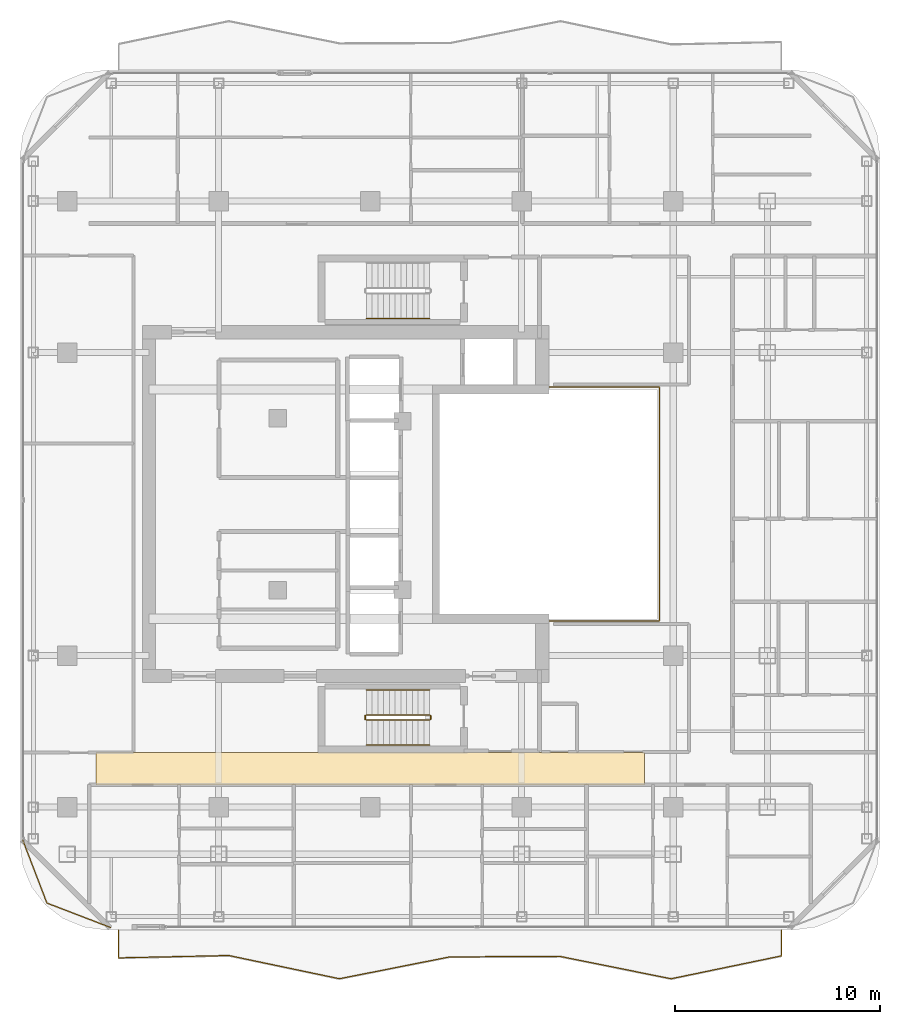
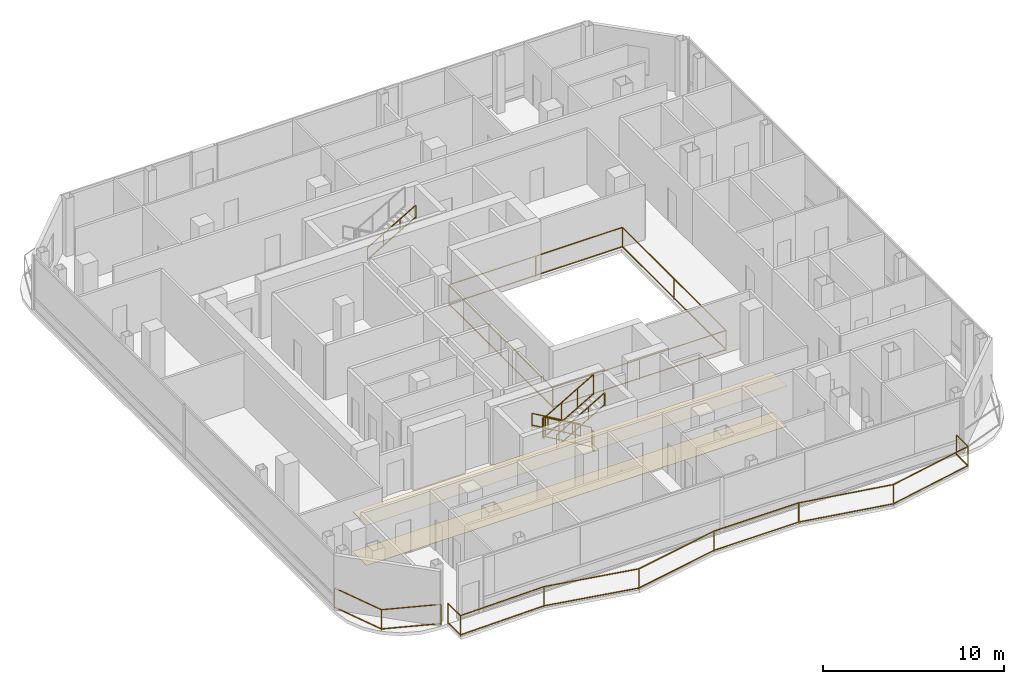
# One storey, part 22 of 24: 10 railings, 2 coverings.
"""IFC4 building model written with IfcOpenShell, lengths in metres."""

from ifc_helpers import new_model, si_unit, direction, frame, origin, origin_2d, place, context, subcontext, project, spatial, polyline, rectangle, outline, extrude, material, layer, layer_set, type_object, element, save


model = new_model("IFC4")

# Units and contexts
model_context = context("Model", 3, precision=1e-05, world=origin(), true_north=direction((0.0, 1.0)))
body_context = subcontext(model_context, "Body", "Model", "MODEL_VIEW")
ifc_project = project(units=[si_unit("LENGTHUNIT", "METRE"), si_unit("AREAUNIT", "SQUARE_METRE"), si_unit("VOLUMEUNIT", "CUBIC_METRE"), si_unit("PLANEANGLEUNIT", "RADIAN"), si_unit("MASSUNIT", "GRAM", prefix="KILO")], contexts=[model_context])

# Site, building, storey
site_placement = place(None, origin())
site = spatial("IfcSite", under=ifc_project, at=site_placement, CompositionType="ELEMENT")
building_placement = place(site_placement, origin())
building = spatial("IfcBuilding", under=site, at=building_placement, Name="Khorvyn Point Tower", CompositionType="ELEMENT")
storey_placement = place(building_placement, frame((0.0, 0.0, 266.39990234375)))
storey = spatial("IfcBuildingStorey", under=building, at=storey_placement, Name="L65", CompositionType="ELEMENT", Elevation=266.39990234375)

# Railings
ifc_material_1 = material(Name="Stainless steel 1.4401 and laminated glass", Category="steel")
railing_type_1 = type_object("IfcRailingType", Name="Crystal Atrium Smoke-Rated Perimeter Guardrail 1400", PredefinedType="GUARDRAIL", material=ifc_material_1)
railing_1_placement = place(storey_placement, frame((3.080078125, -5.719970703125, 0.0)))
element("IfcRailing", 1, at=railing_1_placement, inside=storey, type_object=railing_type_1, Name="L65 Crystal Atrium Perimeter Guardrail", PredefinedType="GUARDRAIL", context=body_context, shape_type="SweptSolid", body=[
    extrude(rectangle(XDim=0.048095703125, YDim=0.048095703125, at=origin_2d()), frame((0.0, 0.0, 1.3759765625), z_axis=(1.0, 0.0, 0.0), x_axis=(0.0, 1.0, 0.0)), (0.0, 0.0, 1.0), 11.0400390625),
    extrude(rectangle(XDim=0.048095703125, YDim=0.048095703125, at=origin_2d()), frame((0.0, 0.0, 0.080078125), z_axis=(1.0, 0.0, 0.0), x_axis=(0.0, 1.0, 0.0)), (0.0, 0.0, 1.0), 11.0400390625),
    extrude(rectangle(XDim=0.048095703125, YDim=0.048095703125, at=origin_2d()), frame((11.0400390625, 0.0, 1.3759765625), z_axis=(0.0, 1.0, 0.0), x_axis=(-1.0, 0.0, 0.0)), (0.0, 0.0, 1.0), 11.43994140625),
    extrude(rectangle(XDim=0.048095703125, YDim=0.048095703125, at=origin_2d()), frame((11.0400390625, 0.0, 0.080078125), z_axis=(0.0, 1.0, 0.0), x_axis=(-1.0, 0.0, 0.0)), (0.0, 0.0, 1.0), 11.43994140625),
    extrude(rectangle(XDim=0.048095703125, YDim=0.048095703125, at=origin_2d()), frame((11.0400390625, 11.43994140625, 1.3759765625), z_axis=(-1.0, 0.0, 0.0), x_axis=(0.0, -1.0, 0.0)), (0.0, 0.0, 1.0), 11.0400390625),
    extrude(rectangle(XDim=0.048095703125, YDim=0.048095703125, at=origin_2d()), frame((11.0400390625, 11.43994140625, 0.080078125), z_axis=(-1.0, 0.0, 0.0), x_axis=(0.0, -1.0, 0.0)), (0.0, 0.0, 1.0), 11.0400390625),
    extrude(rectangle(XDim=0.048095703125, YDim=0.048095703125, at=origin_2d()), frame((0.0, 11.43994140625, 1.3759765625), z_axis=(0.0, -1.0, 0.0), x_axis=(1.0, 0.0, 0.0)), (0.0, 0.0, 1.0), 11.409912109375),
    extrude(rectangle(XDim=0.048095703125, YDim=0.048095703125, at=origin_2d()), frame((0.0, 11.43994140625, 0.080078125), z_axis=(0.0, -1.0, 0.0), x_axis=(1.0, 0.0, 0.0)), (0.0, 0.0, 1.0), 11.409912109375),
    extrude(rectangle(XDim=0.0419921875, YDim=0.0419921875, at=origin_2d()), origin(), (0.0, 0.0, 1.0), 1.351806640625),
    extrude(rectangle(XDim=0.0419921875, YDim=0.0419921875, at=origin_2d()), frame((5.52001953125, 0.0, 0.0)), (0.0, 0.0, 1.0), 1.351806640625),
    extrude(rectangle(XDim=0.0419921875, YDim=0.0419921875, at=origin_2d()), frame((11.0400390625, 0.0, 0.0)), (0.0, 0.0, 1.0), 1.351806640625),
    extrude(rectangle(XDim=0.0419921875, YDim=0.0419921875, at=origin_2d()), frame((11.0400390625, 5.719970703125, 0.0)), (0.0, 0.0, 1.0), 1.351806640625),
    extrude(rectangle(XDim=0.0419921875, YDim=0.0419921875, at=origin_2d()), frame((11.0400390625, 11.43994140625, 0.0)), (0.0, 0.0, 1.0), 1.351806640625),
    extrude(rectangle(XDim=0.0419921875, YDim=0.0419921875, at=origin_2d()), frame((5.52001953125, 11.43994140625, 0.0)), (0.0, 0.0, 1.0), 1.351806640625),
    extrude(rectangle(XDim=0.0419921875, YDim=0.0419921875, at=origin_2d()), frame((0.0, 11.43994140625, 0.0)), (0.0, 0.0, 1.0), 1.351806640625),
    extrude(rectangle(XDim=0.0419921875, YDim=0.0419921875, at=origin_2d()), frame((0.0, 5.73486328125, 0.0)), (0.0, 0.0, 1.0), 1.351806640625),
    extrude(rectangle(XDim=0.0419921875, YDim=0.0419921875, at=origin_2d()), frame((0.0, 0.030029296875, 0.0)), (0.0, 0.0, 1.0), 1.351806640625),
])
ifc_material_2 = material(Name="Anodised aluminium 6063-T6 and laminated safety glass", Category="aluminium")
railing_type_2 = type_object("IfcRailingType", Name="Laminated Glass and Aluminium Balcony Guardrail 1400", PredefinedType="BALUSTRADE", material=ifc_material_2)
railing_2_placement = place(storey_placement, frame((-16.974365234375, -16.386474609375, 0.0)))
element("IfcRailing", 2, at=railing_2_placement, inside=storey, type_object=railing_type_2, Name="L65 Rounded Corner Edge Guardrail SW", PredefinedType="BALUSTRADE", context=body_context, shape_type="SweptSolid", body=[
    extrude(rectangle(XDim=0.048095703125, YDim=0.048095703125, at=origin_2d()), frame((0.0, 0.0, 1.3759765625), z_axis=(0.358367799998, -0.933580483903, 0.0), x_axis=(0.933580483903, 0.358367799998, 0.0)), (0.0, 0.0, 1.0), 3.319091796875),
    extrude(rectangle(XDim=0.048095703125, YDim=0.048095703125, at=origin_2d()), frame((0.0, 0.0, 0.080078125), z_axis=(0.358367799998, -0.933580483903, 0.0), x_axis=(0.933580483903, 0.358367799998, 0.0)), (0.0, 0.0, 1.0), 3.319091796875),
    extrude(rectangle(XDim=0.048095703125, YDim=0.048095703125, at=origin_2d()), frame((1.189453125, -3.0986328125, 1.3759765625), z_axis=(0.933595647299, -0.358328295484, 0.0), x_axis=(0.358328295484, 0.933595647299, 0.0)), (0.0, 0.0, 1.0), 3.31884765625),
    extrude(rectangle(XDim=0.048095703125, YDim=0.048095703125, at=origin_2d()), frame((1.189453125, -3.0986328125, 0.080078125), z_axis=(0.933595647299, -0.358328295484, 0.0), x_axis=(0.358328295484, 0.933595647299, 0.0)), (0.0, 0.0, 1.0), 3.31884765625),
    extrude(rectangle(XDim=0.0419921875, YDim=0.0419921875, at=origin_2d()), origin(), (0.0, 0.0, 1.0), 1.351806640625),
    extrude(rectangle(XDim=0.0419921875, YDim=0.0419921875, at=origin_2d()), frame((1.189453125, -3.0986328125, 0.0)), (0.0, 0.0, 1.0), 1.351806640625),
    extrude(rectangle(XDim=0.0419921875, YDim=0.0419921875, at=origin_2d()), frame((4.287841796875, -4.287841796875, 0.0)), (0.0, 0.0, 1.0), 1.351806640625),
])
railing_3_placement = place(storey_placement, frame((-12.300048828125, -20.800048828125, 0.0)))
element("IfcRailing", 3, at=railing_3_placement, inside=storey, type_object=railing_type_2, Name="L65 South Balcony Guardrail", PredefinedType="BALUSTRADE", context=body_context, shape_type="SweptSolid", body=[
    extrude(rectangle(XDim=0.048095703125, YDim=0.048095703125, at=origin_2d()), frame((0.0, 0.0, 1.3759765625), z_axis=(0.0, -1.0, 0.0), x_axis=(1.0, 0.0, 0.0)), (0.0, 0.0, 1.0), 1.362548828125),
    extrude(rectangle(XDim=0.048095703125, YDim=0.048095703125, at=origin_2d()), frame((0.0, 0.0, 0.080078125), z_axis=(0.0, -1.0, 0.0), x_axis=(1.0, 0.0, 0.0)), (0.0, 0.0, 1.0), 1.362548828125),
    extrude(rectangle(XDim=0.048095703125, YDim=0.048095703125, at=origin_2d()), frame((0.0, -1.362548828125, 1.3759765625), z_axis=(0.999770466456, 0.021424621416, 0.0), x_axis=(-0.021424621416, 0.999770466456, 0.0)), (0.0, 0.0, 1.0), 5.4013671875),
    extrude(rectangle(XDim=0.048095703125, YDim=0.048095703125, at=origin_2d()), frame((0.0, -1.362548828125, 0.080078125), z_axis=(0.999770466456, 0.021424621416, 0.0), x_axis=(-0.021424621416, 0.999770466456, 0.0)), (0.0, 0.0, 1.0), 5.4013671875),
    extrude(rectangle(XDim=0.048095703125, YDim=0.048095703125, at=origin_2d()), frame((5.400146484375, -1.246826171875, 1.3759765625), z_axis=(0.978633735831, -0.205611310715, 0.0), x_axis=(0.205611310715, 0.978633735831, 0.0)), (0.0, 0.0, 1.0), 5.517822265625),
    extrude(rectangle(XDim=0.048095703125, YDim=0.048095703125, at=origin_2d()), frame((5.400146484375, -1.246826171875, 0.080078125), z_axis=(0.978633735831, -0.205611310715, 0.0), x_axis=(0.205611310715, 0.978633735831, 0.0)), (0.0, 0.0, 1.0), 5.517822265625),
    extrude(rectangle(XDim=0.048095703125, YDim=0.048095703125, at=origin_2d()), frame((10.800048828125, -2.38134765625, 1.3759765625), z_axis=(0.980933871194, 0.194341813165, 0.0), x_axis=(-0.194341813165, 0.980933871194, 0.0)), (0.0, 0.0, 1.0), 5.5048828125),
    extrude(rectangle(XDim=0.048095703125, YDim=0.048095703125, at=origin_2d()), frame((10.800048828125, -2.38134765625, 0.080078125), z_axis=(0.980933871194, 0.194341813165, 0.0), x_axis=(-0.194341813165, 0.980933871194, 0.0)), (0.0, 0.0, 1.0), 5.5048828125),
    extrude(rectangle(XDim=0.048095703125, YDim=0.048095703125, at=origin_2d()), frame((16.199951171875, -1.3115234375, 1.3759765625), z_axis=(0.999995274435, 0.003074265503, 0.0), x_axis=(-0.003074265503, 0.999995274435, 0.0)), (0.0, 0.0, 1.0), 5.400146484375),
    extrude(rectangle(XDim=0.048095703125, YDim=0.048095703125, at=origin_2d()), frame((16.199951171875, -1.3115234375, 0.080078125), z_axis=(0.999995274435, 0.003074265503, 0.0), x_axis=(-0.003074265503, 0.999995274435, 0.0)), (0.0, 0.0, 1.0), 5.400146484375),
    extrude(rectangle(XDim=0.048095703125, YDim=0.048095703125, at=origin_2d()), frame((21.60009765625, -1.294921875, 1.3759765625), z_axis=(0.980320704809, -0.197411538983, 0.0), x_axis=(0.197411538983, 0.980320704809, 0.0)), (0.0, 0.0, 1.0), 5.50830078125),
    extrude(rectangle(XDim=0.048095703125, YDim=0.048095703125, at=origin_2d()), frame((21.60009765625, -1.294921875, 0.080078125), z_axis=(0.980320704809, -0.197411538983, 0.0), x_axis=(0.197411538983, 0.980320704809, 0.0)), (0.0, 0.0, 1.0), 5.50830078125),
    extrude(rectangle(XDim=0.048095703125, YDim=0.048095703125, at=origin_2d()), frame((27.0, -2.38232421875, 1.3759765625), z_axis=(0.979166731109, 0.20305790477, 0.0), x_axis=(-0.20305790477, 0.979166731109, 0.0)), (0.0, 0.0, 1.0), 5.51513671875),
    extrude(rectangle(XDim=0.048095703125, YDim=0.048095703125, at=origin_2d()), frame((27.0, -2.38232421875, 0.080078125), z_axis=(0.979166731109, 0.20305790477, 0.0), x_axis=(-0.20305790477, 0.979166731109, 0.0)), (0.0, 0.0, 1.0), 5.51513671875),
    extrude(rectangle(XDim=0.048095703125, YDim=0.048095703125, at=origin_2d()), frame((32.400146484375, -1.262451171875, 1.3759765625), z_axis=(0.0, 1.0, 0.0), x_axis=(-1.0, 0.0, 0.0)), (0.0, 0.0, 1.0), 1.262451171875),
    extrude(rectangle(XDim=0.048095703125, YDim=0.048095703125, at=origin_2d()), frame((32.400146484375, -1.262451171875, 0.080078125), z_axis=(0.0, 1.0, 0.0), x_axis=(-1.0, 0.0, 0.0)), (0.0, 0.0, 1.0), 1.262451171875),
    extrude(rectangle(XDim=0.0419921875, YDim=0.0419921875, at=origin_2d()), origin(), (0.0, 0.0, 1.0), 1.351806640625),
    extrude(rectangle(XDim=0.0419921875, YDim=0.0419921875, at=origin_2d()), frame((0.0, -1.362548828125, 0.0)), (0.0, 0.0, 1.0), 1.351806640625),
    extrude(rectangle(XDim=0.0419921875, YDim=0.0419921875, at=origin_2d()), frame((5.400146484375, -1.246826171875, 0.0)), (0.0, 0.0, 1.0), 1.351806640625),
    extrude(rectangle(XDim=0.0419921875, YDim=0.0419921875, at=origin_2d()), frame((10.800048828125, -2.38134765625, 0.0)), (0.0, 0.0, 1.0), 1.351806640625),
    extrude(rectangle(XDim=0.0419921875, YDim=0.0419921875, at=origin_2d()), frame((16.199951171875, -1.3115234375, 0.0)), (0.0, 0.0, 1.0), 1.351806640625),
    extrude(rectangle(XDim=0.0419921875, YDim=0.0419921875, at=origin_2d()), frame((21.60009765625, -1.294921875, 0.0)), (0.0, 0.0, 1.0), 1.351806640625),
    extrude(rectangle(XDim=0.0419921875, YDim=0.0419921875, at=origin_2d()), frame((27.0, -2.38232421875, 0.0)), (0.0, 0.0, 1.0), 1.351806640625),
    extrude(rectangle(XDim=0.0419921875, YDim=0.0419921875, at=origin_2d()), frame((32.400146484375, -1.262451171875, 0.0)), (0.0, 0.0, 1.0), 1.351806640625),
    extrude(rectangle(XDim=0.0419921875, YDim=0.0419921875, at=origin_2d()), frame((32.400146484375, 0.0, 0.0)), (0.0, 0.0, 1.0), 1.351806640625),
])

# Coverings
ifc_material_3 = material(Name="Mineral-fibre acoustic ceiling board", Category="gypsum")
ifc_layer_1 = layer(ifc_material_3, 0.02001953125)
ifc_layer_set_1 = layer_set([ifc_layer_1], Name="Perforated Mineral-Fibre Acoustic Suspended Ceiling 20")
covering_type_1 = type_object("IfcCoveringType", Name="Perforated Mineral-Fibre Acoustic Suspended Ceiling 20", PredefinedType="CEILING", material=ifc_layer_set_1)
covering_1_placement = place(storey_placement, frame((0.0, 0.0, 2.7001953125)))
element("IfcCovering", 4, at=covering_1_placement, inside=storey, type_object=covering_type_1, Name="L65 South Corridor Acoustic Ceiling", PredefinedType="CEILING", context=body_context, shape_type="SweptSolid", body=[
    extrude(outline(polyline([(-13.39990234375, -13.7099609375), (13.39990234375, -13.7099609375), (13.39990234375, -12.139892578125), (-13.39990234375, -12.139892578125), (-13.39990234375, -13.7099609375)])), origin(), (0.0, 0.0, 1.0), 0.02001953125),
])
ifc_material_4 = material(Name="Vitrified porcelain terrazzo tile", Category="ceramic")
ifc_layer_2 = layer(ifc_material_4, 0.01806640625)
ifc_layer_set_2 = layer_set([ifc_layer_2], Name="Porcelain Terrazzo Corridor Floor Finish Tile 18")
covering_type_2 = type_object("IfcCoveringType", Name="Porcelain Terrazzo Corridor Floor Finish Tile 18", PredefinedType="FLOORING", material=ifc_layer_set_2)
covering_2_placement = place(storey_placement, origin())
element("IfcCovering", 5, at=covering_2_placement, inside=storey, type_object=covering_type_2, Name="L65 South Corridor Terrazzo Flooring", PredefinedType="FLOORING", context=body_context, shape_type="SweptSolid", body=[
    extrude(outline(polyline([(-13.39990234375, -13.7099609375), (13.39990234375, -13.7099609375), (13.39990234375, -12.139892578125), (-13.39990234375, -12.139892578125), (-13.39990234375, -13.7099609375)])), origin(), (0.0, 0.0, 1.0), 0.01806640625),
])

# Railings
ifc_material_5 = material(Name="Stainless steel 1.4301", Category="steel")
railing_type_3 = type_object("IfcRailingType", Name="Stainless Steel 304 Stair Pitch Handrail 900", PredefinedType="HANDRAIL", material=ifc_material_5)
railing_4_placement = place(storey_placement, frame((2.89990234375, -9.070068359375, 0.16259765625)))
element("IfcRailing", 6, at=railing_4_placement, inside=storey, type_object=railing_type_3, Name="L65 ST-01 stair handrail 1", PredefinedType="HANDRAIL", context=body_context, shape_type="SweptSolid", body=[
    extrude(rectangle(XDim=0.048095703125, YDim=0.048095703125, at=origin_2d()), frame((0.0, 0.0, 0.8759765625), z_axis=(-0.864873446163, 0.0, 0.501989962173), x_axis=(0.0, -1.0, 0.0)), (0.0, 0.0, 1.0), 3.56103515625),
    extrude(rectangle(XDim=0.048095703125, YDim=0.048095703125, at=origin_2d()), frame((0.0, 0.0, 0.080078125), z_axis=(-0.864873446163, 0.0, 0.501989962173), x_axis=(0.0, -1.0, 0.0)), (0.0, 0.0, 1.0), 3.56103515625),
    extrude(rectangle(XDim=0.0419921875, YDim=0.0419921875, at=origin_2d()), origin(), (0.0, 0.0, 1.0), 0.851806640625),
    extrude(rectangle(XDim=0.0419921875, YDim=0.0419921875, at=origin_2d()), frame((-1.026611328125, 0.0, 0.595947265625)), (0.0, 0.0, 1.0), 0.851806640625),
    extrude(rectangle(XDim=0.0419921875, YDim=0.0419921875, at=origin_2d()), frame((-2.05322265625, 0.0, 1.191650390625)), (0.0, 0.0, 1.0), 0.851806640625),
    extrude(rectangle(XDim=0.0419921875, YDim=0.0419921875, at=origin_2d()), frame((-3.079833984375, 0.0, 1.78759765625)), (0.0, 0.0, 1.0), 0.851806640625),
])
for number, where, name in (
    (7, (-0.179931640625, -11.77001953125, 2.112548828125), "L65 ST-01 stair handrail 2"),
    (8, (-0.179931640625, 9.070068359375, 2.112548828125), "L65 ST-02 stair handrail 2"),
):
    element("IfcRailing", number, at=place(storey_placement, frame(where)), inside=storey, type_object=railing_type_3, Name=name, PredefinedType="HANDRAIL", context=body_context, shape_type="SweptSolid", body=[
        extrude(rectangle(XDim=0.048095703125, YDim=0.048095703125, at=origin_2d()), frame((0.0, 0.0, 0.8759765625), z_axis=(0.864873446163, 0.0, 0.501989962173), x_axis=(0.0, 1.0, 0.0)), (0.0, 0.0, 1.0), 3.56103515625),
        extrude(rectangle(XDim=0.048095703125, YDim=0.048095703125, at=origin_2d()), frame((0.0, 0.0, 0.080078125), z_axis=(0.864873446163, 0.0, 0.501989962173), x_axis=(0.0, 1.0, 0.0)), (0.0, 0.0, 1.0), 3.56103515625),
        extrude(rectangle(XDim=0.0419921875, YDim=0.0419921875, at=origin_2d()), origin(), (0.0, 0.0, 1.0), 0.851806640625),
        extrude(rectangle(XDim=0.0419921875, YDim=0.0419921875, at=origin_2d()), frame((1.026611328125, 0.0, 0.595947265625)), (0.0, 0.0, 1.0), 0.851806640625),
        extrude(rectangle(XDim=0.0419921875, YDim=0.0419921875, at=origin_2d()), frame((2.05322265625, 0.0, 1.191650390625)), (0.0, 0.0, 1.0), 0.851806640625),
        extrude(rectangle(XDim=0.0419921875, YDim=0.0419921875, at=origin_2d()), frame((3.079833984375, 0.0, 1.78759765625)), (0.0, 0.0, 1.0), 0.851806640625),
    ])
railing_type_4 = type_object("IfcRailingType", Name="Stainless Steel 304 Stair Well Guardrail 1400", PredefinedType="GUARDRAIL", material=ifc_material_5)
railing_5_placement = place(storey_placement, frame((2.89990234375, -10.2900390625, 0.16259765625)))
element("IfcRailing", 9, at=railing_5_placement, inside=storey, type_object=railing_type_4, Name="L65 ST-01 stair guard 1", PredefinedType="GUARDRAIL", context=body_context, shape_type="SweptSolid", body=[
    extrude(rectangle(XDim=0.048095703125, YDim=0.048095703125, at=origin_2d()), frame((0.0, 0.0, 1.3759765625), z_axis=(-0.864873446163, 0.0, 0.501989962173), x_axis=(0.0, -1.0, 0.0)), (0.0, 0.0, 1.0), 3.56103515625),
    extrude(rectangle(XDim=0.048095703125, YDim=0.048095703125, at=origin_2d()), frame((0.0, 0.0, 0.080078125), z_axis=(-0.864873446163, 0.0, 0.501989962173), x_axis=(0.0, -1.0, 0.0)), (0.0, 0.0, 1.0), 3.56103515625),
    extrude(rectangle(XDim=0.0419921875, YDim=0.0419921875, at=origin_2d()), origin(), (0.0, 0.0, 1.0), 1.351806640625),
    extrude(rectangle(XDim=0.0419921875, YDim=0.0419921875, at=origin_2d()), frame((-1.026611328125, 0.0, 0.595947265625)), (0.0, 0.0, 1.0), 1.351806640625),
    extrude(rectangle(XDim=0.0419921875, YDim=0.0419921875, at=origin_2d()), frame((-2.05322265625, 0.0, 1.191650390625)), (0.0, 0.0, 1.0), 1.351806640625),
    extrude(rectangle(XDim=0.0419921875, YDim=0.0419921875, at=origin_2d()), frame((-3.079833984375, 0.0, 1.78759765625)), (0.0, 0.0, 1.0), 1.351806640625),
])
railing_6_placement = place(storey_placement, frame((-0.22998046875, -10.340087890625, 1.9501953125)))
element("IfcRailing", 10, at=railing_6_placement, inside=storey, type_object=railing_type_4, Name="L65 ST-01 stair guard 2", PredefinedType="GUARDRAIL", context=body_context, shape_type="SweptSolid", body=[
    extrude(rectangle(XDim=0.048095703125, YDim=0.048095703125, at=origin_2d()), frame((0.0, 0.0, 1.3759765625), z_axis=(0.0, -1.0, 0.0), x_axis=(1.0, 0.0, 0.0)), (0.0, 0.0, 1.0), 0.159912109375),
    extrude(rectangle(XDim=0.048095703125, YDim=0.048095703125, at=origin_2d()), frame((0.0, 0.0, 0.080078125), z_axis=(0.0, -1.0, 0.0), x_axis=(1.0, 0.0, 0.0)), (0.0, 0.0, 1.0), 0.159912109375),
    extrude(rectangle(XDim=0.0419921875, YDim=0.0419921875, at=origin_2d()), origin(), (0.0, 0.0, 1.0), 1.351806640625),
    extrude(rectangle(XDim=0.0419921875, YDim=0.0419921875, at=origin_2d()), frame((0.0, -0.159912109375, 0.0)), (0.0, 0.0, 1.0), 1.351806640625),
])
railing_7_placement = place(storey_placement, frame((-0.179931640625, -10.550048828125, 2.112548828125)))
element("IfcRailing", 11, at=railing_7_placement, inside=storey, type_object=railing_type_4, Name="L65 ST-01 stair guard 3", PredefinedType="GUARDRAIL", context=body_context, shape_type="SweptSolid", body=[
    extrude(rectangle(XDim=0.048095703125, YDim=0.048095703125, at=origin_2d()), frame((0.0, 0.0, 1.3759765625), z_axis=(0.864873446163, 0.0, 0.501989962173), x_axis=(0.0, 1.0, 0.0)), (0.0, 0.0, 1.0), 3.56103515625),
    extrude(rectangle(XDim=0.048095703125, YDim=0.048095703125, at=origin_2d()), frame((0.0, 0.0, 0.080078125), z_axis=(0.864873446163, 0.0, 0.501989962173), x_axis=(0.0, 1.0, 0.0)), (0.0, 0.0, 1.0), 3.56103515625),
    extrude(rectangle(XDim=0.0419921875, YDim=0.0419921875, at=origin_2d()), origin(), (0.0, 0.0, 1.0), 1.351806640625),
    extrude(rectangle(XDim=0.0419921875, YDim=0.0419921875, at=origin_2d()), frame((1.026611328125, 0.0, 0.595947265625)), (0.0, 0.0, 1.0), 1.351806640625),
    extrude(rectangle(XDim=0.0419921875, YDim=0.0419921875, at=origin_2d()), frame((2.05322265625, 0.0, 1.191650390625)), (0.0, 0.0, 1.0), 1.351806640625),
    extrude(rectangle(XDim=0.0419921875, YDim=0.0419921875, at=origin_2d()), frame((3.079833984375, 0.0, 1.78759765625)), (0.0, 0.0, 1.0), 1.351806640625),
])
railing_8_placement = place(storey_placement, frame((2.949951171875, -10.340087890625, 0.0)))
element("IfcRailing", 12, at=railing_8_placement, inside=storey, type_object=railing_type_4, Name="L65 ST-01 stair guard 4", PredefinedType="GUARDRAIL", context=body_context, shape_type="SweptSolid", body=[
    extrude(rectangle(XDim=0.048095703125, YDim=0.048095703125, at=origin_2d()), frame((0.0, 0.0, 1.3759765625), z_axis=(0.0, -1.0, 0.0), x_axis=(1.0, 0.0, 0.0)), (0.0, 0.0, 1.0), 0.159912109375),
    extrude(rectangle(XDim=0.048095703125, YDim=0.048095703125, at=origin_2d()), frame((0.0, 0.0, 0.080078125), z_axis=(0.0, -1.0, 0.0), x_axis=(1.0, 0.0, 0.0)), (0.0, 0.0, 1.0), 0.159912109375),
    extrude(rectangle(XDim=0.0419921875, YDim=0.0419921875, at=origin_2d()), origin(), (0.0, 0.0, 1.0), 1.351806640625),
    extrude(rectangle(XDim=0.0419921875, YDim=0.0419921875, at=origin_2d()), frame((0.0, -0.159912109375, 0.0)), (0.0, 0.0, 1.0), 1.351806640625),
])

save(model, "model.ifc")
